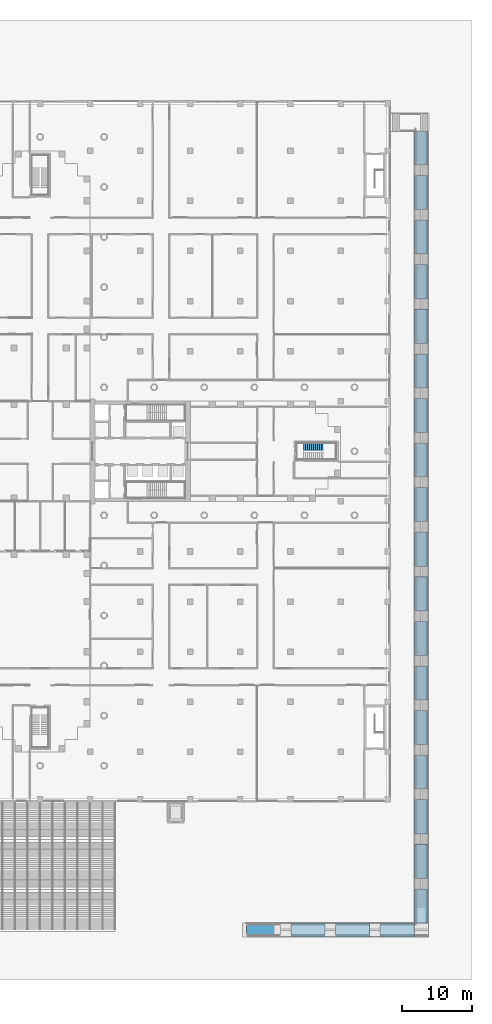
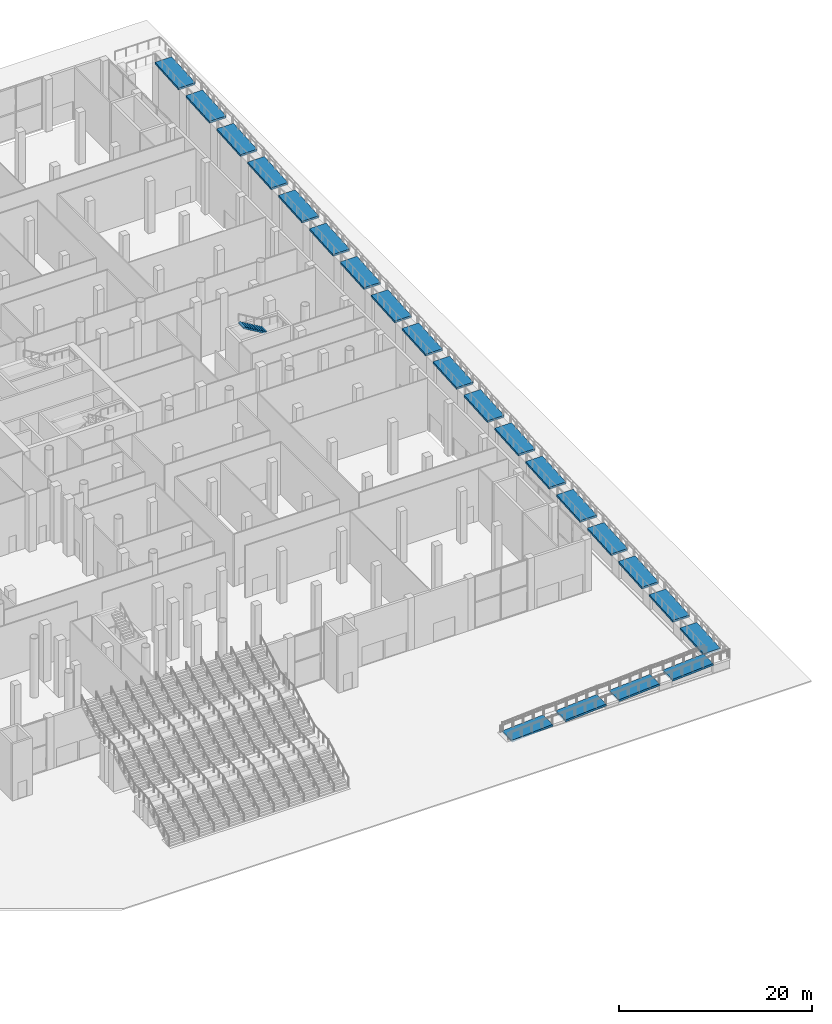
# One storey, part 34 of 44: 22 ramp flights, 1 stair flight, 2 elements without a shape of their own.
"""IFC4 building model written with IfcOpenShell, lengths in metres."""

from ifc_helpers import new_model, si_unit, direction, frame, origin, place, context, subcontext, project, spatial, polyline, outline, extrude, material, type_object, element, aggregate, save


model = new_model("IFC4")

# Units and contexts
model_context = context("Model", 3, precision=1e-05, world=origin(), true_north=direction((0.0, 1.0)))
body_context = subcontext(model_context, "Body", "Model", "MODEL_VIEW")
ifc_project = project(units=[si_unit("LENGTHUNIT", "METRE"), si_unit("AREAUNIT", "SQUARE_METRE"), si_unit("VOLUMEUNIT", "CUBIC_METRE"), si_unit("PLANEANGLEUNIT", "RADIAN"), si_unit("MASSUNIT", "GRAM", prefix="KILO")], contexts=[model_context])

# Site, building, storey
site_placement = place(None, origin())
site = spatial("IfcSite", under=ifc_project, at=site_placement, CompositionType="ELEMENT")
building_placement = place(site_placement, origin())
building = spatial("IfcBuilding", under=site, at=building_placement, Name="Fustian Cross Tower", CompositionType="ELEMENT")
storey_placement = place(building_placement, origin())
storey = spatial("IfcBuildingStorey", under=building, at=storey_placement, Name="L00", CompositionType="ELEMENT", Elevation=0.0)

# Stair, stair flight
ifc_material_1 = material(Name="Concrete C50/60", Category="concrete")
stair_type = type_object("IfcStairType", Name="STAIR 1100 HALF TURN", PredefinedType="HALF_TURN_STAIR", material=ifc_material_1)
stair_placement = place(storey_placement, origin())
stair = element("IfcStair", 1, at=stair_placement, inside=storey, type_object=stair_type, Name="Stair ST8", PredefinedType="HALF_TURN_STAIR")
ifc_material_2 = material(Name="Concrete C50/60", Category="concrete")
stair_flight_type = type_object("IfcStairFlightType", Name="STAIR FLIGHT 1100", PredefinedType="STRAIGHT", material=ifc_material_2)
stair_flight_placement = place(storey_placement, frame((40.699951171875, 0.64990234375, 5.39990234375), z_axis=(0.0, 0.0, 1.0), x_axis=(-1.0, 0.0, 0.0)))
stair_flight = element("IfcStairFlight", 2, at=stair_flight_placement, type_object=stair_flight_type, Name="ST8 flight 4", NumberOfRisers=11, NumberOfTreads=10, PredefinedType="STRAIGHT", RiserHeight=0.163636364, TreadLength=0.28, context=body_context, shape_type="SweptSolid", body=[
    extrude(outline(polyline([(0.0, 0.0), (0.0, 0.16357421875), (0.280029296875, 0.16357421875), (0.280029296875, 0.327392578125), (0.56005859375, 0.327392578125), (0.56005859375, 0.490966796875), (0.840087890625, 0.490966796875), (0.840087890625, 0.654541015625), (1.1201171875, 0.654541015625), (1.1201171875, 0.818115234375), (1.39990234375, 0.818115234375), (1.39990234375, 0.98193359375), (1.679931640625, 0.98193359375), (1.679931640625, 1.1455078125), (1.9599609375, 1.1455078125), (1.9599609375, 1.30908203125), (2.239990234375, 1.30908203125), (2.239990234375, 1.47265625), (2.52001953125, 1.47265625), (2.52001953125, 1.636474609375), (2.800048828125, 1.636474609375), (2.800048828125, 1.800048828125), (2.800048828125, 1.462646484375), (0.297119140625, 0.0), (0.0, 0.0)])), frame((0.0, 0.550048828125, 0.0), z_axis=(0.0, -1.0, 0.0), x_axis=(1.0, 0.0, 0.0)), (0.0, 0.0, 1.0), 1.10009765625),
])
aggregate(stair, [stair_flight])

# Ramp, ramp flights
ifc_material_3 = material(Name="Concrete C40/50", Category="concrete")
ramp_placement = place(storey_placement, origin())
ramp = element("IfcRamp", 3, at=ramp_placement, inside=storey, material=ifc_material_3, Name="Public ramp", PredefinedType="STRAIGHT_RUN_RAMP")
ramp_flight_1_placement = place(storey_placement, frame((29.66357421875, -69.800048828125, 0.0), z_axis=(-0.066740327111, 0.0, 0.997770378763), x_axis=(0.997770378763, 0.0, 0.066740327111)))
ramp_flight_1 = element("IfcRampFlight", 4, at=ramp_flight_1_placement, material=ifc_material_3, Name="Ramp flight 1", PredefinedType="STRAIGHT", context=body_context, shape_type="SweptSolid", body=[
    extrude(outline(polyline([(0.0, 0.0), (4.905468586938245, 0.0), (4.905468586938245, 2.0), (0.0, 2.0), (0.0, 0.0)])), origin(), (0.0, 0.0, -1.0), 0.25),
])
ramp_flight_2_placement = place(storey_placement, frame((36.07275390625, -69.800048828125, 0.327392578125), z_axis=(-0.066690779476, 0.0, 0.997773691742), x_axis=(0.997773691742, 0.0, 0.066690779476)))
ramp_flight_2 = element("IfcRampFlight", 5, at=ramp_flight_2_placement, material=ifc_material_3, Name="Ramp flight 2", PredefinedType="STRAIGHT", context=body_context, shape_type="SweptSolid", body=[
    extrude(outline(polyline([(0.0, 0.0), (4.9054522989613565, 0.0), (4.9054522989613565, 2.0), (0.0, 2.0), (0.0, 0.0)])), origin(), (0.0, 0.0, -1.0), 0.25),
])
ramp_flight_3_placement = place(storey_placement, frame((42.48193359375, -69.800048828125, 0.654541015625), z_axis=(-0.066743641474, 0.0, 0.997770157062), x_axis=(0.997770157062, 0.0, 0.066743641474)))
ramp_flight_3 = element("IfcRampFlight", 6, at=ramp_flight_3_placement, material=ifc_material_3, Name="Ramp flight 3", PredefinedType="STRAIGHT", context=body_context, shape_type="SweptSolid", body=[
    extrude(outline(polyline([(0.0, 0.0), (4.90522499068143, 0.0), (4.90522499068143, 2.0000000000000004), (0.0, 2.0000000000000004), (0.0, 0.0)])), origin(), (0.0, 0.0, -1.0), 0.25),
])
ramp_flight_4_placement = place(storey_placement, frame((48.890869140625, -69.800048828125, 0.98193359375), z_axis=(-0.066690779476, 0.0, 0.997773691742), x_axis=(0.997773691742, 0.0, 0.066690779476)))
ramp_flight_4 = element("IfcRampFlight", 7, at=ramp_flight_4_placement, material=ifc_material_3, Name="Ramp flight 4", PredefinedType="STRAIGHT", context=body_context, shape_type="SweptSolid", body=[
    extrude(outline(polyline([(0.0, 0.0), (4.9054522989613565, 0.0), (4.9054522989613565, 2.0), (0.0, 2.0), (0.0, 0.0)])), origin(), (0.0, 0.0, -1.0), 0.25),
])
ramp_flight_5_placement = place(storey_placement, frame((53.800048828125, -67.800048828125, 1.30908203125), z_axis=(0.0, -0.066740327111, 0.997770378763), x_axis=(1.0, 0.0, 0.0)))
ramp_flight_5 = element("IfcRampFlight", 8, at=ramp_flight_5_placement, material=ifc_material_3, Name="Ramp flight 5", PredefinedType="STRAIGHT", context=body_context, shape_type="SweptSolid", body=[
    extrude(outline(polyline([(0.0, 0.0), (2.0, 0.0), (2.0, 4.905468586938244), (0.0, 4.905468586938244), (0.0, 0.0)])), origin(), (0.0, 0.0, -1.0), 0.25),
])
ramp_flight_6_placement = place(storey_placement, frame((53.800048828125, -61.390869140625, 1.636474609375), z_axis=(0.0, -0.066690779476, 0.997773691742), x_axis=(1.0, 0.0, 0.0)))
ramp_flight_6 = element("IfcRampFlight", 9, at=ramp_flight_6_placement, material=ifc_material_3, Name="Ramp flight 6", PredefinedType="STRAIGHT", context=body_context, shape_type="SweptSolid", body=[
    extrude(outline(polyline([(0.0, 0.0), (2.0, 0.0), (2.0, 4.9054522989613565), (0.0, 4.9054522989613565), (0.0, 0.0)])), origin(), (0.0, 0.0, -1.0), 0.25),
])
ramp_flight_7_placement = place(storey_placement, frame((53.800048828125, -54.98193359375, 1.963623046875), z_axis=(0.0, -0.066740327111, 0.997770378763), x_axis=(1.0, 0.0, 0.0)))
ramp_flight_7 = element("IfcRampFlight", 10, at=ramp_flight_7_placement, material=ifc_material_3, Name="Ramp flight 7", PredefinedType="STRAIGHT", context=body_context, shape_type="SweptSolid", body=[
    extrude(outline(polyline([(0.0, 0.0), (2.0, 0.0), (2.0, 4.905468586938244), (0.0, 4.905468586938244), (0.0, 0.0)])), origin(), (0.0, 0.0, -1.0), 0.25),
])
ramp_flight_8_placement = place(storey_placement, frame((53.800048828125, -48.57275390625, 2.291015625), z_axis=(0.0, -0.066690779476, 0.997773691742), x_axis=(1.0, 0.0, 0.0)))
ramp_flight_8 = element("IfcRampFlight", 11, at=ramp_flight_8_placement, material=ifc_material_3, Name="Ramp flight 8", PredefinedType="STRAIGHT", context=body_context, shape_type="SweptSolid", body=[
    extrude(outline(polyline([(0.0, 0.0), (2.0, 0.0), (2.0, 4.9054522989613565), (0.0, 4.9054522989613565), (0.0, 0.0)])), origin(), (0.0, 0.0, -1.0), 0.25),
])
ramp_flight_9_placement = place(storey_placement, frame((53.800048828125, -42.16357421875, 2.6181640625), z_axis=(0.0, -0.066743641474, 0.997770157062), x_axis=(1.0, 0.0, 0.0)))
ramp_flight_9 = element("IfcRampFlight", 12, at=ramp_flight_9_placement, material=ifc_material_3, Name="Ramp flight 9", PredefinedType="STRAIGHT", context=body_context, shape_type="SweptSolid", body=[
    extrude(outline(polyline([(0.0, 0.0), (2.0, 0.0), (2.0, 4.90522499068143), (0.0, 4.90522499068143), (0.0, 0.0)])), origin(), (0.0, 0.0, -1.0), 0.25),
])
ramp_flight_10_placement = place(storey_placement, frame((53.800048828125, -35.754638671875, 2.945556640625), z_axis=(0.0, -0.066690779476, 0.997773691742), x_axis=(1.0, 0.0, 0.0)))
ramp_flight_10 = element("IfcRampFlight", 13, at=ramp_flight_10_placement, material=ifc_material_3, Name="Ramp flight 10", PredefinedType="STRAIGHT", context=body_context, shape_type="SweptSolid", body=[
    extrude(outline(polyline([(0.0, 0.0), (2.0, 0.0), (2.0, 4.9054522989613565), (0.0, 4.9054522989613565), (0.0, 0.0)])), origin(), (0.0, 0.0, -1.0), 0.25),
])
ramp_flight_11_placement = place(storey_placement, frame((53.800048828125, -29.345458984375, 3.272705078125), z_axis=(0.0, -0.066740327111, 0.997770378763), x_axis=(1.0, 0.0, 0.0)))
ramp_flight_11 = element("IfcRampFlight", 14, at=ramp_flight_11_placement, material=ifc_material_3, Name="Ramp flight 11", PredefinedType="STRAIGHT", context=body_context, shape_type="SweptSolid", body=[
    extrude(outline(polyline([(0.0, 0.0), (2.0, 0.0), (2.0, 4.905468586938244), (0.0, 4.905468586938244), (0.0, 0.0)])), origin(), (0.0, 0.0, -1.0), 0.25),
])
ramp_flight_12_placement = place(storey_placement, frame((53.800048828125, -22.936279296875, 3.60009765625), z_axis=(0.0, -0.0666940914, 0.997773470369), x_axis=(1.0, 0.0, 0.0)))
ramp_flight_12 = element("IfcRampFlight", 15, at=ramp_flight_12_placement, material=ifc_material_3, Name="Ramp flight 12", PredefinedType="STRAIGHT", context=body_context, shape_type="SweptSolid", body=[
    extrude(outline(polyline([(0.0, 0.0), (2.0, 0.0), (2.0, 4.905208701895669), (0.0, 4.905208701895669), (0.0, 0.0)])), origin(), (0.0, 0.0, -1.0), 0.25),
])
ramp_flight_13_placement = place(storey_placement, frame((53.800048828125, -16.52734375, 3.92724609375), z_axis=(0.0, -0.066740327111, 0.997770378763), x_axis=(1.0, 0.0, 0.0)))
ramp_flight_13 = element("IfcRampFlight", 16, at=ramp_flight_13_placement, material=ifc_material_3, Name="Ramp flight 13", PredefinedType="STRAIGHT", context=body_context, shape_type="SweptSolid", body=[
    extrude(outline(polyline([(0.0, 0.0), (2.0, 0.0), (2.0, 4.905468586938244), (0.0, 4.905468586938244), (0.0, 0.0)])), origin(), (0.0, 0.0, -1.0), 0.25),
])
ramp_flight_14_placement = place(storey_placement, frame((53.800048828125, -10.1181640625, 4.254638671875), z_axis=(0.0, -0.066690779476, 0.997773691742), x_axis=(1.0, 0.0, 0.0)))
ramp_flight_14 = element("IfcRampFlight", 17, at=ramp_flight_14_placement, material=ifc_material_3, Name="Ramp flight 14", PredefinedType="STRAIGHT", context=body_context, shape_type="SweptSolid", body=[
    extrude(outline(polyline([(0.0, 0.0), (2.0, 0.0), (2.0, 4.9054522989613565), (0.0, 4.9054522989613565), (0.0, 0.0)])), origin(), (0.0, 0.0, -1.0), 0.25),
])
ramp_flight_15_placement = place(storey_placement, frame((53.800048828125, -3.708984375, 4.581787109375), z_axis=(0.0, -0.066743641474, 0.997770157062), x_axis=(1.0, 0.0, 0.0)))
ramp_flight_15 = element("IfcRampFlight", 18, at=ramp_flight_15_placement, material=ifc_material_3, Name="Ramp flight 15", PredefinedType="STRAIGHT", context=body_context, shape_type="SweptSolid", body=[
    extrude(outline(polyline([(0.0, 0.0), (2.0, 0.0), (2.0, 4.90522499068143), (0.0, 4.90522499068143), (0.0, 0.0)])), origin(), (0.0, 0.0, -1.0), 0.25),
])
ramp_flight_16_placement = place(storey_placement, frame((53.800048828125, 2.699951171875, 4.9091796875), z_axis=(0.0, -0.066690779476, 0.997773691742), x_axis=(1.0, 0.0, 0.0)))
ramp_flight_16 = element("IfcRampFlight", 19, at=ramp_flight_16_placement, material=ifc_material_3, Name="Ramp flight 16", PredefinedType="STRAIGHT", context=body_context, shape_type="SweptSolid", body=[
    extrude(outline(polyline([(0.0, 0.0), (2.0, 0.0), (2.0, 4.9054522989613565), (0.0, 4.9054522989613565), (0.0, 0.0)])), origin(), (0.0, 0.0, -1.0), 0.25),
])
ramp_flight_17_placement = place(storey_placement, frame((53.800048828125, 9.109130859375, 5.236328125), z_axis=(0.0, -0.066740327111, 0.997770378763), x_axis=(1.0, 0.0, 0.0)))
ramp_flight_17 = element("IfcRampFlight", 20, at=ramp_flight_17_placement, material=ifc_material_3, Name="Ramp flight 17", PredefinedType="STRAIGHT", context=body_context, shape_type="SweptSolid", body=[
    extrude(outline(polyline([(0.0, 0.0), (2.0, 0.0), (2.0, 4.905468586938244), (0.0, 4.905468586938244), (0.0, 0.0)])), origin(), (0.0, 0.0, -1.0), 0.25),
])
ramp_flight_18_placement = place(storey_placement, frame((53.800048828125, 15.51806640625, 5.563720703125), z_axis=(0.0, -0.066690779476, 0.997773691742), x_axis=(1.0, 0.0, 0.0)))
ramp_flight_18 = element("IfcRampFlight", 21, at=ramp_flight_18_placement, material=ifc_material_3, Name="Ramp flight 18", PredefinedType="STRAIGHT", context=body_context, shape_type="SweptSolid", body=[
    extrude(outline(polyline([(0.0, 0.0), (2.0, 0.0), (2.0, 4.9054522989613565), (0.0, 4.9054522989613565), (0.0, 0.0)])), origin(), (0.0, 0.0, -1.0), 0.25),
])
ramp_flight_19_placement = place(storey_placement, frame((53.800048828125, 21.92724609375, 5.890869140625), z_axis=(0.0, -0.066740327111, 0.997770378763), x_axis=(1.0, 0.0, 0.0)))
ramp_flight_19 = element("IfcRampFlight", 22, at=ramp_flight_19_placement, material=ifc_material_3, Name="Ramp flight 19", PredefinedType="STRAIGHT", context=body_context, shape_type="SweptSolid", body=[
    extrude(outline(polyline([(0.0, 0.0), (2.0, 0.0), (2.0, 4.905468586938244), (0.0, 4.905468586938244), (0.0, 0.0)])), origin(), (0.0, 0.0, -1.0), 0.25),
])
ramp_flight_20_placement = place(storey_placement, frame((53.800048828125, 28.33642578125, 6.21826171875), z_axis=(0.0, -0.0666940914, 0.997773470369), x_axis=(1.0, 0.0, 0.0)))
ramp_flight_20 = element("IfcRampFlight", 23, at=ramp_flight_20_placement, material=ifc_material_3, Name="Ramp flight 20", PredefinedType="STRAIGHT", context=body_context, shape_type="SweptSolid", body=[
    extrude(outline(polyline([(0.0, 0.0), (2.0, 0.0), (2.0, 4.905208701895669), (0.0, 4.905208701895669), (0.0, 0.0)])), origin(), (0.0, 0.0, -1.0), 0.25),
])
ramp_flight_21_placement = place(storey_placement, frame((53.800048828125, 34.745361328125, 6.54541015625), z_axis=(0.0, -0.066740327111, 0.997770378763), x_axis=(1.0, 0.0, 0.0)))
ramp_flight_21 = element("IfcRampFlight", 24, at=ramp_flight_21_placement, material=ifc_material_3, Name="Ramp flight 21", PredefinedType="STRAIGHT", context=body_context, shape_type="SweptSolid", body=[
    extrude(outline(polyline([(0.0, 0.0), (2.0, 0.0), (2.0, 4.905468586938244), (0.0, 4.905468586938244), (0.0, 0.0)])), origin(), (0.0, 0.0, -1.0), 0.25),
])
ramp_flight_22_placement = place(storey_placement, frame((53.800048828125, 41.154541015625, 6.872802734375), z_axis=(0.0, -0.066690779476, 0.997773691742), x_axis=(1.0, 0.0, 0.0)))
ramp_flight_22 = element("IfcRampFlight", 25, at=ramp_flight_22_placement, material=ifc_material_3, Name="Ramp flight 22", PredefinedType="STRAIGHT", context=body_context, shape_type="SweptSolid", body=[
    extrude(outline(polyline([(0.0, 0.0), (2.0, 0.0), (2.0, 4.9054522989613565), (0.0, 4.9054522989613565), (0.0, 0.0)])), origin(), (0.0, 0.0, -1.0), 0.25),
])
aggregate(ramp, [ramp_flight_1, ramp_flight_2, ramp_flight_3, ramp_flight_4, ramp_flight_5, ramp_flight_6, ramp_flight_7, ramp_flight_8, ramp_flight_9, ramp_flight_10, ramp_flight_11, ramp_flight_12, ramp_flight_13, ramp_flight_14, ramp_flight_15, ramp_flight_16, ramp_flight_17, ramp_flight_18, ramp_flight_19, ramp_flight_20, ramp_flight_21, ramp_flight_22])

save(model, "model.ifc")
